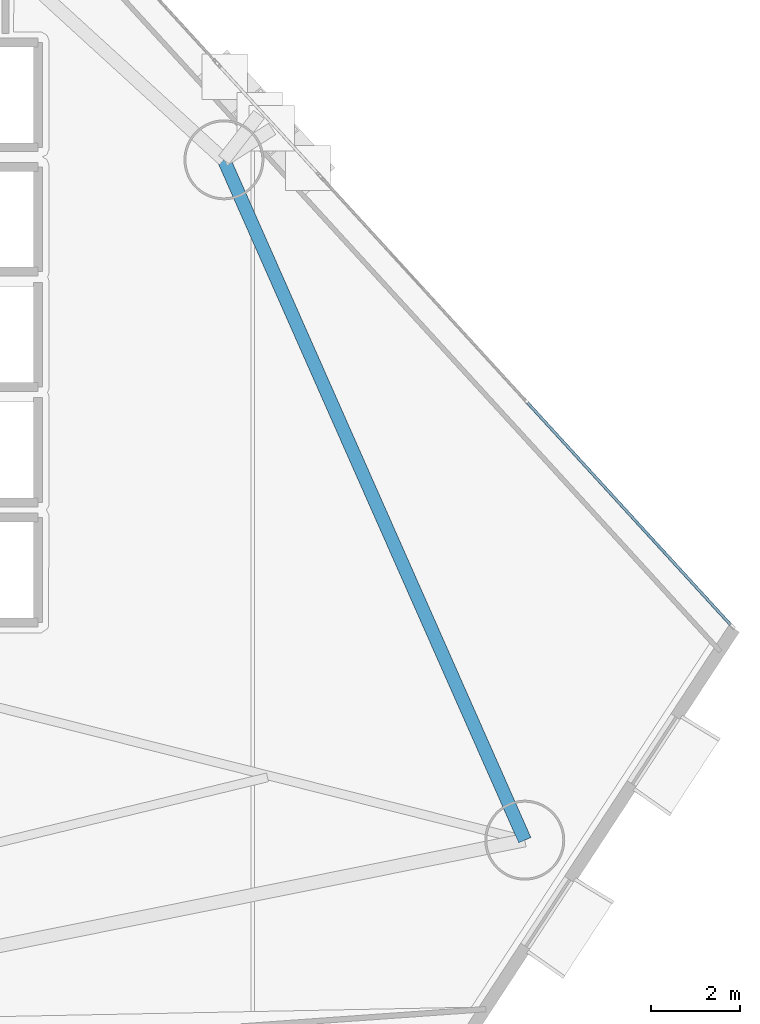
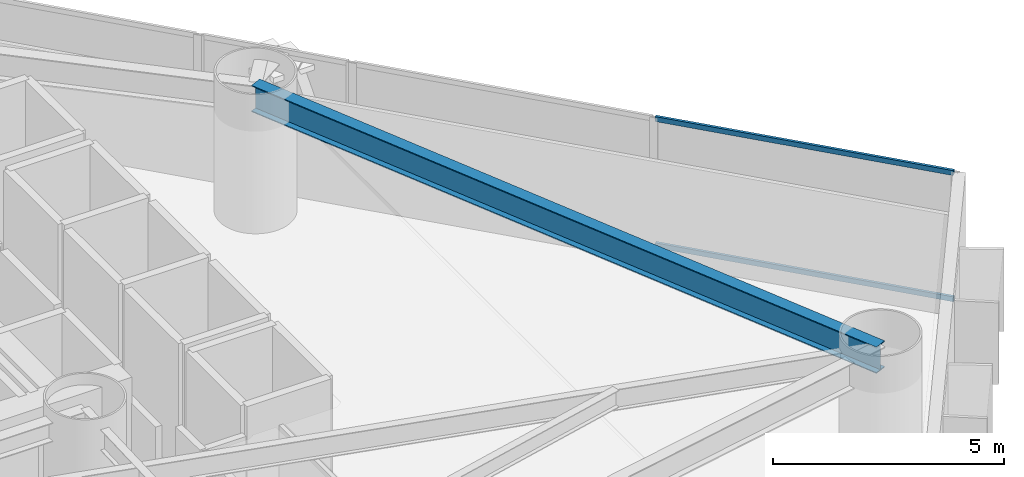
# One storey, part 13 of 22: 2 members, 1 beam, 1 element without a shape of its own.
"""IFC4 building model written with IfcOpenShell, lengths in metres."""

from ifc_helpers import new_model, si_unit, direction, frame, origin, origin_2d, place, context, subcontext, project, spatial, hollow_rectangle, i_section, extrude, material, layer, layer_set, material_profile, profile_set, type_object, element, aggregate, save


model = new_model("IFC4")

# Units and contexts
model_context = context("Model", 3, precision=1e-05, world=origin(), true_north=direction((0.0, 1.0)))
body_context = subcontext(model_context, "Body", "Model", "MODEL_VIEW")
ifc_project = project(units=[si_unit("LENGTHUNIT", "METRE"), si_unit("AREAUNIT", "SQUARE_METRE"), si_unit("VOLUMEUNIT", "CUBIC_METRE"), si_unit("PLANEANGLEUNIT", "RADIAN"), si_unit("MASSUNIT", "GRAM", prefix="KILO")], contexts=[model_context])

# Site, building, storey
site_placement = place(None, origin())
site = spatial("IfcSite", under=ifc_project, at=site_placement, CompositionType="ELEMENT")
building_placement = place(site_placement, origin())
building = spatial("IfcBuilding", under=site, at=building_placement, Name="Qianvela Tower", CompositionType="ELEMENT")
storey_placement = place(building_placement, frame((0.0, 0.0, 44.199951171875)))
storey = spatial("IfcBuildingStorey", under=building, at=storey_placement, Name="L10", CompositionType="ELEMENT", Elevation=44.199951171875)

# Beam
ifc_material_1 = material(Name="Steel Q355B", Category="steel")
ifc_material_profile_1 = material_profile(ifc_material_1, i_section(OverallWidth=0.300048828125, OverallDepth=0.699951171875, WebThickness=0.012939453125, FlangeThickness=0.02392578125, at=origin_2d()), Name="HN700x300x13x24")
ifc_profile_set_1 = profile_set([ifc_material_profile_1], Name="Steel Q355B")
beam_type = type_object("IfcBeamType", Name="BM-HN700-SPAND", PredefinedType="SPANDREL", material=ifc_profile_set_1)
beam_placement = place(storey_placement, frame((54.511962890625, 17.31689453125, 3.048095703125), z_axis=(-0.404490777912, 0.914542076989, 0.0), x_axis=(-0.914542076989, -0.404490777912, 0.0)))
element("IfcBeam", 1, at=beam_placement, inside=storey, type_object=beam_type, Name="L10 Perimeter Ring Spandrel Girder 1", PredefinedType="SPANDREL", context=body_context, shape_type="SweptSolid", body=[
    extrude(i_section(OverallWidth=0.300048828125, OverallDepth=0.699951171875, WebThickness=0.012939453125, FlangeThickness=0.02392578125, at=origin_2d()), origin(), (0.0, 0.0, 1.0), 16.751708984375),
])

# Curtain wall, members
ifc_material_2 = material(Name="Anodised Architectural Aluminium and Low-E Glass", Category="aluminium")
ifc_layer = layer(ifc_material_2, 0.179931640625)
ifc_layer_set = layer_set([ifc_layer], Name="Anodised Architectural Aluminium and Low-E Glass")
curtain_wall_type = type_object("IfcCurtainWallType", Name="CW-COLIV-Z12", PredefinedType="USERDEFINED", material=ifc_layer_set)
curtain_wall_placement = place(storey_placement, origin())
curtain_wall = element("IfcCurtainWall", 2, at=curtain_wall_placement, inside=storey, type_object=curtain_wall_type, Name="L10 CW-COLIV-Z12 Curtain Wall 02A", ObjectType="CURTAIN_WALL_SYSTEM", PredefinedType="USERDEFINED")
ifc_material_3 = material(Name="Anodised Architectural Aluminium 6063-T6", Category="aluminium")
ifc_material_profile_2 = material_profile(ifc_material_3, hollow_rectangle(XDim=0.06494140625, YDim=0.1298828125, WallThickness=0.00439453125, at=origin_2d()), Name="ALU-TRAN-65x130")
ifc_profile_set_2 = profile_set([ifc_material_profile_2], Name="Anodised Architectural Aluminium 6063-T6")
member_type = type_object("IfcMemberType", Name="CW-COLIV-Z12-TRAN", PredefinedType="USERDEFINED", material=ifc_profile_set_2)
member_1_placement = place(storey_placement, frame((59.145751953125, 22.16796875, 0.032470703125), z_axis=(-0.674924076887, 0.73788718002, 0.0), x_axis=(-0.73788718002, -0.674924076887, 0.0)))
member_1 = element("IfcMember", 3, at=member_1_placement, type_object=member_type, Name="CW-3 transom 1.1", ObjectType="TRANSOM", PredefinedType="USERDEFINED", context=body_context, shape_type="SweptSolid", body=[
    extrude(hollow_rectangle(XDim=0.06494140625, YDim=0.1298828125, WallThickness=0.00439453125, at=origin_2d()), origin(), (0.0, 0.0, 1.0), 6.770263671875),
])
member_2_placement = place(storey_placement, frame((59.145751953125, 22.16796875, 3.367431640625), z_axis=(-0.674924076887, 0.73788718002, 0.0), x_axis=(-0.73788718002, -0.674924076887, 0.0)))
member_2 = element("IfcMember", 4, at=member_2_placement, type_object=member_type, Name="CW-3 transom 1.2", ObjectType="TRANSOM", PredefinedType="USERDEFINED", context=body_context, shape_type="SweptSolid", body=[
    extrude(hollow_rectangle(XDim=0.06494140625, YDim=0.1298828125, WallThickness=0.00439453125, at=origin_2d()), origin(), (0.0, 0.0, 1.0), 6.770263671875),
])
aggregate(curtain_wall, [member_1, member_2])

save(model, "model.ifc")
